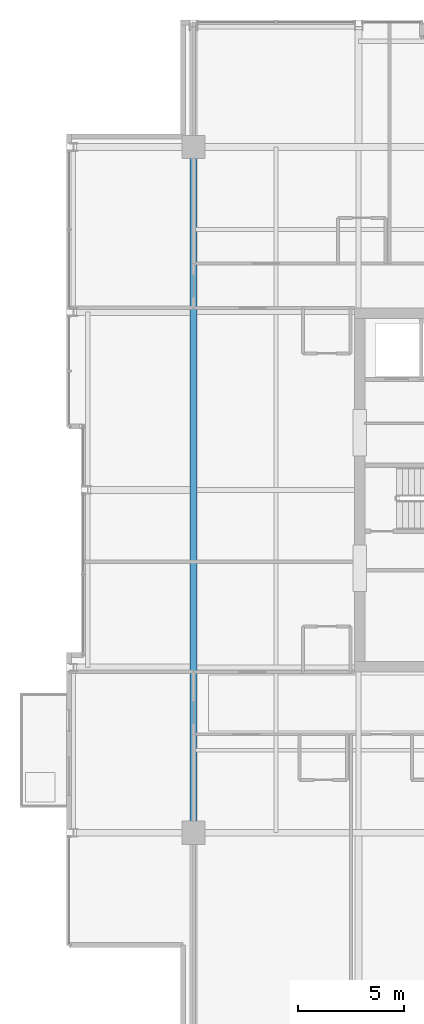
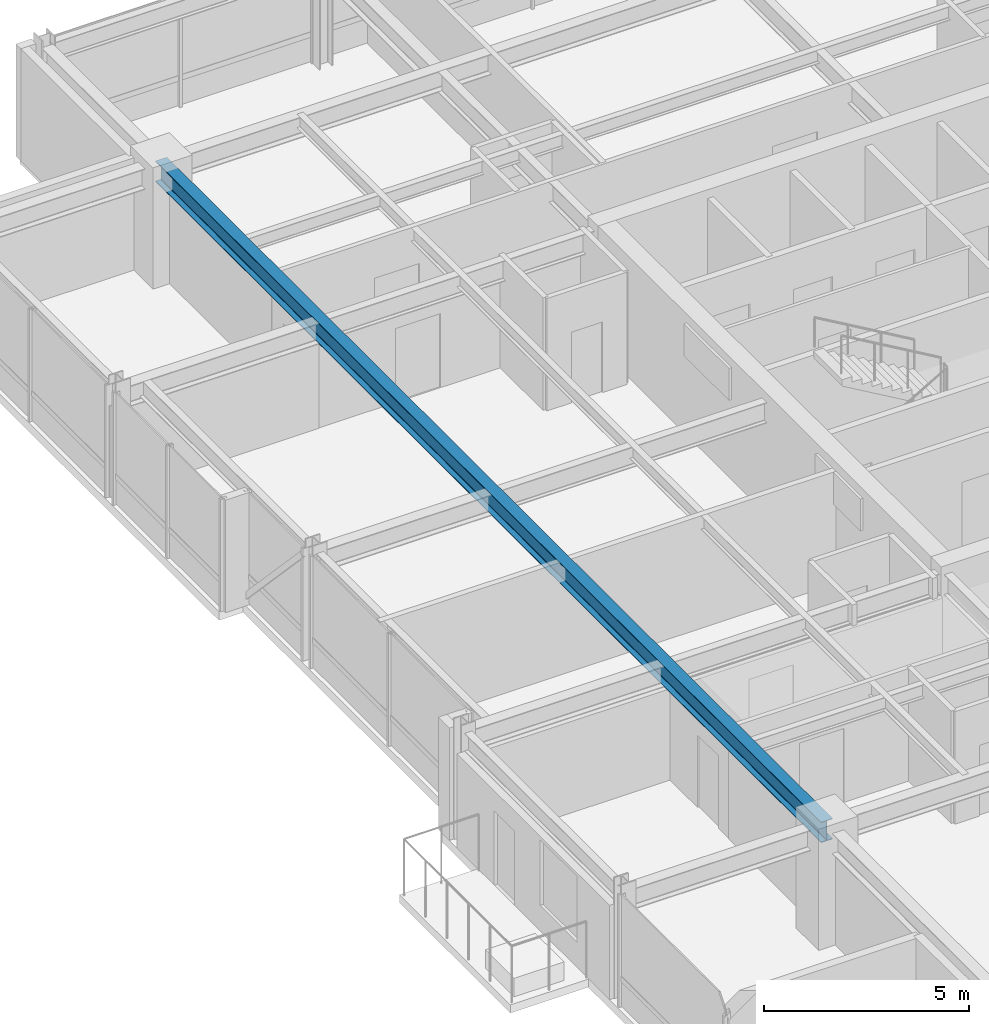
# One storey, part 9 of 32: 1 beam.
"""IFC4 building model written with IfcOpenShell, lengths in metres."""

from ifc_helpers import new_model, si_unit, direction, frame, origin, origin_2d, place, context, subcontext, project, spatial, i_section, extrude, material, material_profile, profile_set, type_object, element, save


model = new_model("IFC4")

# Units and contexts
model_context = context("Model", 3, precision=1e-05, world=origin(), true_north=direction((0.0, 1.0)))
body_context = subcontext(model_context, "Body", "Model", "MODEL_VIEW")
ifc_project = project(units=[si_unit("LENGTHUNIT", "METRE"), si_unit("AREAUNIT", "SQUARE_METRE"), si_unit("VOLUMEUNIT", "CUBIC_METRE"), si_unit("PLANEANGLEUNIT", "RADIAN"), si_unit("MASSUNIT", "GRAM", prefix="KILO")], contexts=[model_context])

# Site, building, storey
site_placement = place(None, origin())
site = spatial("IfcSite", under=ifc_project, at=site_placement, CompositionType="ELEMENT")
building_placement = place(site_placement, origin())
building = spatial("IfcBuilding", under=site, at=building_placement, Name="Drelvath Grand Hotel", CompositionType="ELEMENT")
storey_placement = place(building_placement, frame((0.0, 0.0, 226.699951171875)))
storey = spatial("IfcBuildingStorey", under=building, at=storey_placement, Name="L59", CompositionType="ELEMENT", Elevation=226.699951171875)

# Beam
ifc_material = material(Name="Steel ASTM A992 Gr 50", Category="steel")
ifc_material_profile = material_profile(ifc_material, i_section(OverallWidth=0.323974609375, OverallDepth=0.611083984375, WebThickness=0.0126953125, FlangeThickness=0.01904296875, FilletRadius=0.02197265625, at=origin_2d()), Name="W24X104")
ifc_profile_set = profile_set([ifc_material_profile], Name="Steel ASTM A992 Gr 50")
beam_type = type_object("IfcBeamType", Name="Primary Floor Girder W24X104", PredefinedType="BEAM", material=ifc_profile_set)
beam_placement = place(storey_placement, frame((-16.199951171875, 10.800048828125, 3.034423828125), z_axis=(0.0, 1.0, 0.0), x_axis=(-1.0, 0.0, 0.0)))
element("IfcBeam", 1, at=beam_placement, inside=storey, type_object=beam_type, Name="L59 Mega Ring Girder West", PredefinedType="BEAM", context=body_context, shape_type="SweptSolid", body=[
    extrude(i_section(OverallWidth=0.323974609375, OverallDepth=0.611083984375, WebThickness=0.0126953125, FlangeThickness=0.01904296875, FilletRadius=0.02197265625, at=origin_2d()), origin(), (0.0, 0.0, 1.0), 32.39990234375),
])

save(model, "model.ifc")
